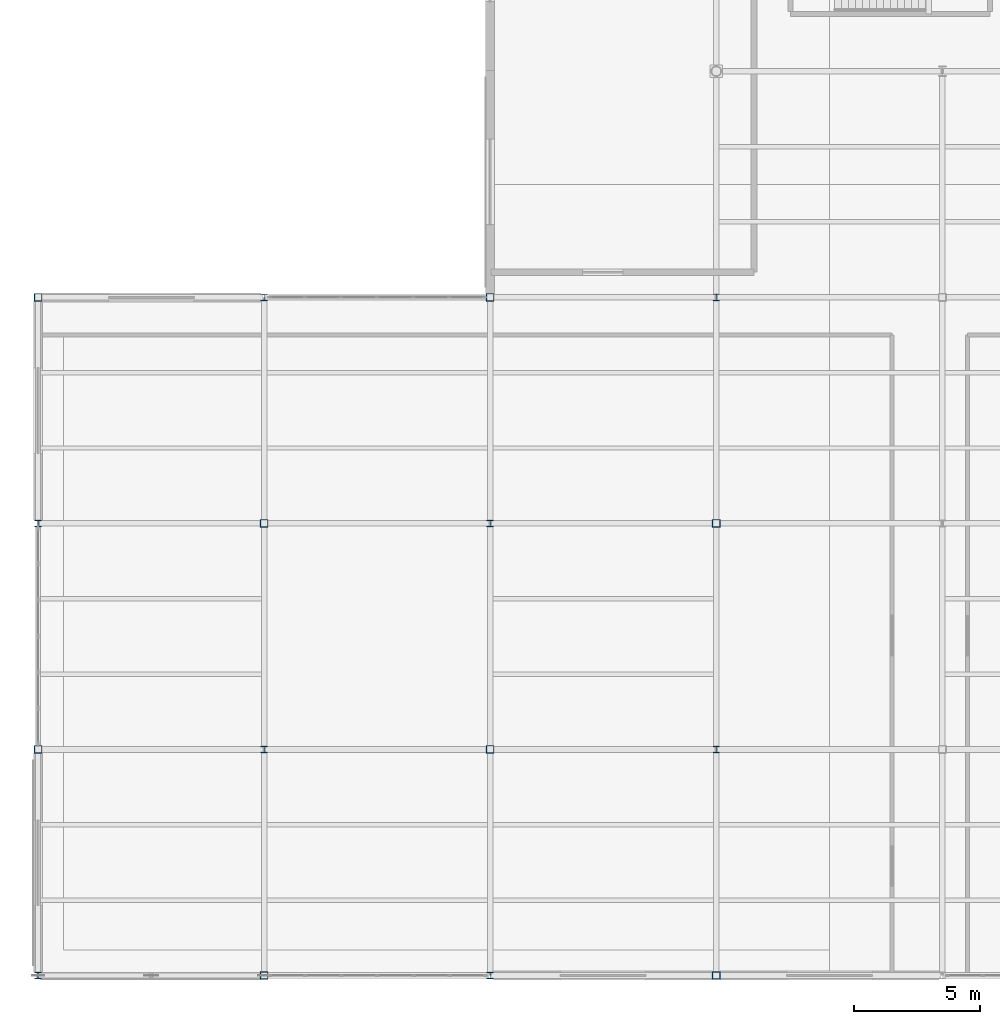
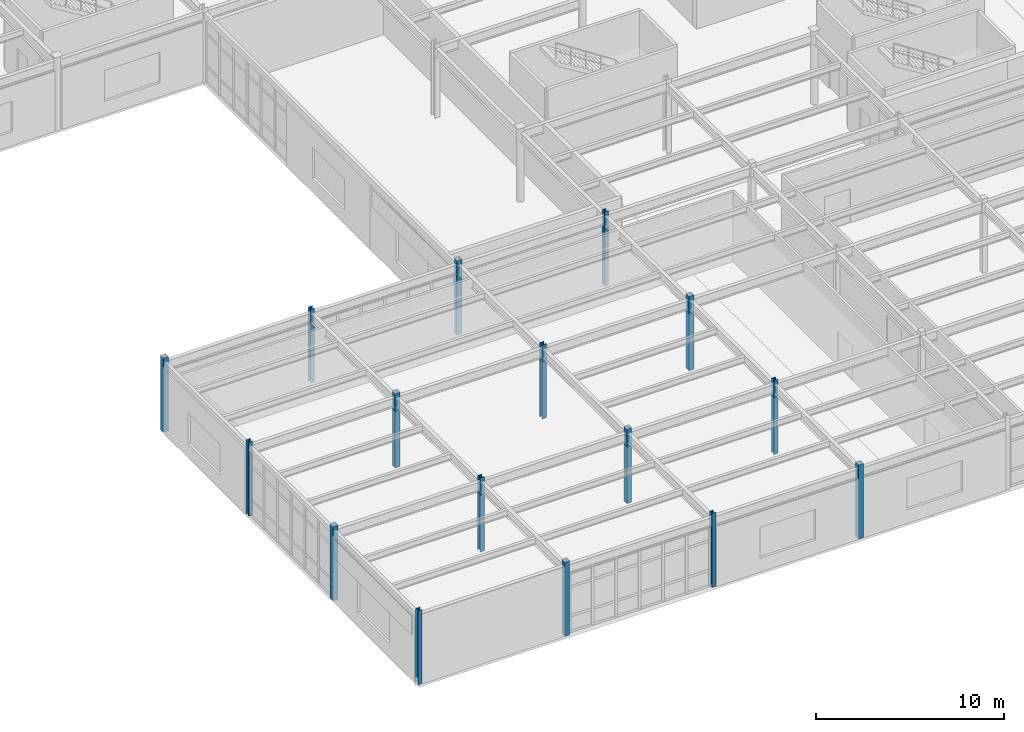
# One storey, part 1 of 84: 16 columns.
"""IFC4 building model written with IfcOpenShell, lengths in metres."""

from ifc_helpers import new_model, si_unit, direction, frame, origin, origin_2d, place, context, subcontext, project, spatial, hollow_rectangle, i_section, extrude, material, material_profile, profile_set, type_object, element, save


model = new_model("IFC4")

# Units and contexts
model_context = context("Model", 3, precision=1e-05, world=origin(), true_north=direction((0.0, 1.0)))
body_context = subcontext(model_context, "Body", "Model", "MODEL_VIEW")
ifc_project = project(units=[si_unit("LENGTHUNIT", "METRE"), si_unit("AREAUNIT", "SQUARE_METRE"), si_unit("VOLUMEUNIT", "CUBIC_METRE"), si_unit("PLANEANGLEUNIT", "RADIAN"), si_unit("MASSUNIT", "GRAM", prefix="KILO")], contexts=[model_context])

# Site, building, storey
site_placement = place(None, origin())
site = spatial("IfcSite", under=ifc_project, at=site_placement, CompositionType="ELEMENT")
building_placement = place(site_placement, origin())
building = spatial("IfcBuilding", under=site, at=building_placement, Name="Glasvene Arena", CompositionType="ELEMENT")
storey_placement = place(building_placement, frame((0.0, 0.0, 10.199951171875)))
storey = spatial("IfcBuildingStorey", under=building, at=storey_placement, Name="L02", CompositionType="ELEMENT", Elevation=10.199951171875)

# Columns
ifc_material = material(Name="Steel S355J2", Category="steel")
ifc_material_profile_1 = material_profile(ifc_material, hollow_rectangle(XDim=0.300048828125, YDim=0.300048828125, WallThickness=0.012451171875, at=origin_2d()), Name="SHS 300x300x12.5")
ifc_profile_set_1 = profile_set([ifc_material_profile_1], Name="Steel S355J2")
column_type_1 = type_object("IfcColumnType", Name="COL-W-SHS300", PredefinedType="COLUMN", material=ifc_profile_set_1)
for number, where, z_axis, x_axis, name in (
    (1, (0.0, 9.0, 0.0), (0.0, 0.0, 1.0), (1.0, 0.0, 0.0), "Grid column 1-2 L02"),
    (2, (0.0, 27.0, 0.0), (0.0, 0.0, 1.0), (1.0, 0.0, 0.0), "Grid column 1-4 L02"),
    (3, (9.0, 0.0, 0.0), (0.0, 0.0, 1.0), (1.0, 0.0, 0.0), "Grid column 2-1 L02"),
    (4, (9.0, 18.0, 0.0), (0.0, 0.0, 1.0), (1.0, 0.0, 0.0), "Grid column 2-3 L02"),
    (5, (18.0, 9.0, 0.0), (0.0, 0.0, 1.0), (1.0, 0.0, 0.0), "Grid column 3-2 L02"),
    (6, (18.0, 27.0, 0.0), (0.0, 0.0, 1.0), (1.0, 0.0, 0.0), "Grid column 3-4 L02"),
    (7, (27.0, 0.0, 0.0), (0.0, 0.0, 1.0), (1.0, 0.0, 0.0), "Grid column 4-1 L02"),
    (8, (27.0, 18.0, 0.0), (0.0, 0.0, 1.0), (1.0, 0.0, 0.0), "Grid column 4-3 L02"),
):
    element("IfcColumn", number, at=place(storey_placement, frame(where, z_axis=z_axis, x_axis=x_axis)), inside=storey, type_object=column_type_1, Name=name, PredefinedType="COLUMN", context=body_context, shape_type="SweptSolid", body=[
        extrude(hollow_rectangle(XDim=0.300048828125, YDim=0.300048828125, WallThickness=0.012451171875, at=origin_2d()), origin(), (0.0, 0.0, 1.0), 4.800048828125),
    ])
ifc_material_profile_2 = material_profile(ifc_material, i_section(OverallWidth=0.25634765625, OverallDepth=0.26025390625, WebThickness=0.01025390625, FlangeThickness=0.017333984375, FilletRadius=0.0126953125, at=origin_2d()), Name="UKC 254x254x89")
ifc_profile_set_2 = profile_set([ifc_material_profile_2], Name="Steel S355J2")
column_type_2 = type_object("IfcColumnType", Name="COL-W-UKC89", PredefinedType="COLUMN", material=ifc_profile_set_2)
for number, where, z_axis, x_axis, name in (
    (9, (0.0, 0.0, 0.0), (0.0, 0.0, 1.0), (1.0, 0.0, 0.0), "Grid column 1-1 L02"),
    (10, (0.0, 18.0, 0.0), (0.0, 0.0, 1.0), (1.0, 0.0, 0.0), "Grid column 1-3 L02"),
    (11, (9.0, 9.0, 0.0), (0.0, 0.0, 1.0), (1.0, 0.0, 0.0), "Grid column 2-2 L02"),
    (12, (9.0, 27.0, 0.0), (0.0, 0.0, 1.0), (1.0, 0.0, 0.0), "Grid column 2-4 L02"),
    (13, (18.0, 0.0, 0.0), (0.0, 0.0, 1.0), (1.0, 0.0, 0.0), "Grid column 3-1 L02"),
    (14, (18.0, 18.0, 0.0), (0.0, 0.0, 1.0), (1.0, 0.0, 0.0), "Grid column 3-3 L02"),
    (15, (27.0, 9.0, 0.0), (0.0, 0.0, 1.0), (1.0, 0.0, 0.0), "Grid column 4-2 L02"),
    (16, (27.0, 27.0, 0.0), (0.0, 0.0, 1.0), (1.0, 0.0, 0.0), "Grid column 4-4 L02"),
):
    element("IfcColumn", number, at=place(storey_placement, frame(where, z_axis=z_axis, x_axis=x_axis)), inside=storey, type_object=column_type_2, Name=name, PredefinedType="COLUMN", context=body_context, shape_type="SweptSolid", body=[
        extrude(i_section(OverallWidth=0.25634765625, OverallDepth=0.26025390625, WebThickness=0.01025390625, FlangeThickness=0.017333984375, FilletRadius=0.0126953125, at=origin_2d()), origin(), (0.0, 0.0, 1.0), 4.800048828125),
    ])

save(model, "model.ifc")
